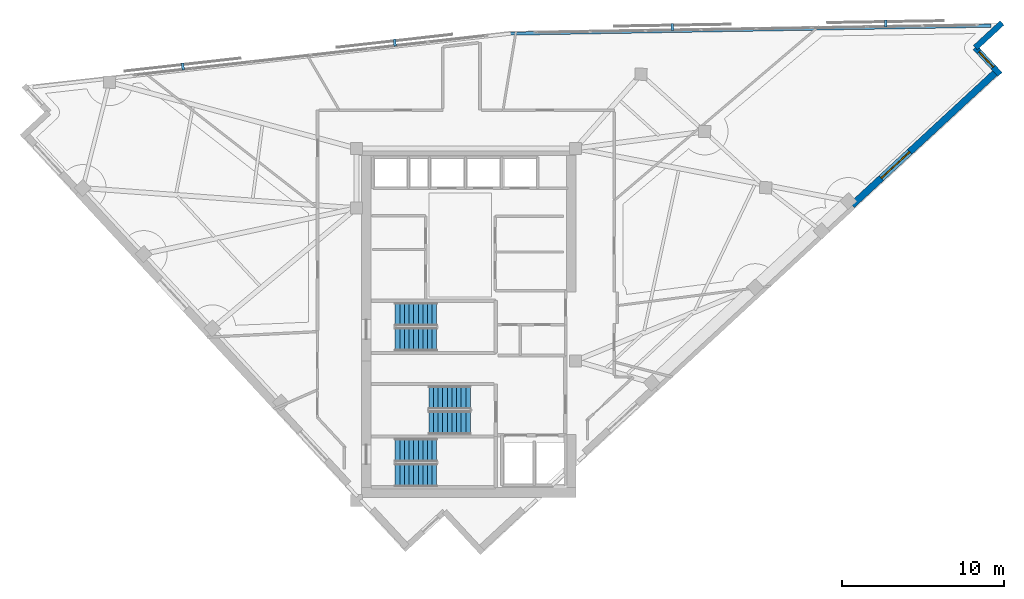
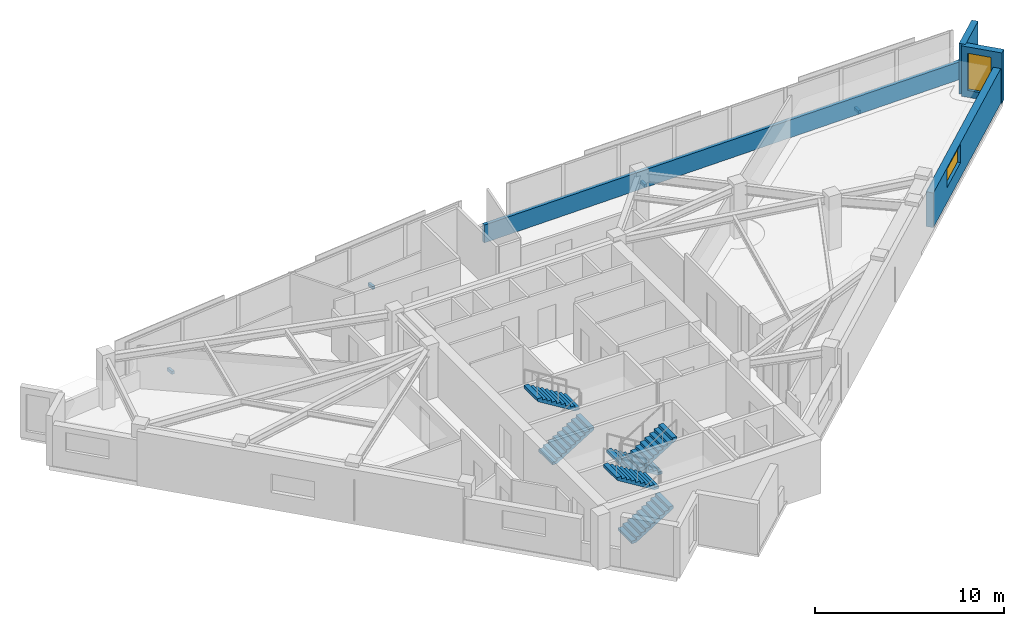
# One storey, part 11 of 13: 6 stair flights, 4 discrete accessories, 4 walls, 2 windows, 2 openings, 3 elements without a shape of their own.
"""IFC4 building model written with IfcOpenShell, lengths in metres."""

from ifc_helpers import new_model, si_unit, direction, frame, frame_2d, origin, origin_2d, place, context, subcontext, project, spatial, polyline, rectangle, outline, extrude, material, layer, layer_set, type_object, element, fill, aggregate, save


model = new_model("IFC4")

# Units and contexts
model_context = context("Model", 3, precision=1e-05, world=origin(), true_north=direction((0.0, 1.0)))
body_context = subcontext(model_context, "Body", "Model", "MODEL_VIEW")
ifc_project = project(units=[si_unit("LENGTHUNIT", "METRE"), si_unit("AREAUNIT", "SQUARE_METRE"), si_unit("VOLUMEUNIT", "CUBIC_METRE"), si_unit("PLANEANGLEUNIT", "RADIAN"), si_unit("MASSUNIT", "GRAM", prefix="KILO")], contexts=[model_context])

# Site, building, storey
site_placement = place(None, origin())
site = spatial("IfcSite", under=ifc_project, at=site_placement, CompositionType="ELEMENT")
building_placement = place(site_placement, origin())
building = spatial("IfcBuilding", under=site, at=building_placement, Name="Narakoshi Arena Tower", CompositionType="ELEMENT")
storey_placement = place(building_placement, frame((0.0, 0.0, 278.340087890625)))
storey = spatial("IfcBuildingStorey", under=building, at=storey_placement, Name="L76", CompositionType="ELEMENT", Elevation=278.340087890625)

# Wall
ifc_material_1 = material(Name="Precast concrete C45/55", Category="concrete")
ifc_layer_1 = layer(ifc_material_1, 0.25)
ifc_layer_set_1 = layer_set([ifc_layer_1], Name="Precast concrete C45/55")
wall_type_1 = type_object("IfcWallType", Name="WL-PARA-250", PredefinedType="PARAPET", material=ifc_layer_set_1)
wall_1_placement = place(storey_placement, frame((111.2705078125, 64.091796875, 0.0), z_axis=(0.0, 0.0, 1.0), x_axis=(-0.999864741935, -0.016446818413, 0.0)))
element("IfcWall", 1, at=wall_1_placement, inside=storey, type_object=wall_type_1, Name="L76 Hypotenuse Sill Upstand Parapet 1-01", PredefinedType="PARAPET", context=body_context, shape_type="SweptSolid", body=[
    extrude(rectangle(XDim=29.73291015625, YDim=0.199951171875, at=frame_2d((14.866455078125, 0.0))), origin(), (0.0, 0.0, 1.0), 1.14990234375),
])

# Wall, opening, window
ifc_layer_2 = layer(ifc_material_1, 0.419921875)
ifc_layer_set_2 = layer_set([ifc_layer_2], Name="Precast concrete C45/55")
wall_type_2 = type_object("IfcWallType", Name="WL-POD-420", PredefinedType="SOLIDWALL", material=ifc_layer_set_2)
wall_2_placement = place(storey_placement, frame((102.677490234375, 52.9892578125, 0.0), z_axis=(0.0, 0.0, 1.0), x_axis=(0.734331107219, 0.678791444386, 0.0)))
wall_2 = element("IfcWall", 2, at=wall_2_placement, inside=storey, type_object=wall_type_2, Name="L76 Architectural Concrete Facade Wall LEGA-4", PredefinedType="SOLIDWALL", context=body_context, shape_type="SweptSolid", body=[
    extrude(rectangle(XDim=12.21142578125, YDim=0.419921875, at=frame_2d((6.105712890625, 0.0))), origin(), (0.0, 0.0, 1.0), 2.244873046875),
])
opening_1_placement = place(wall_2_placement, frame((2.453857421875, 0.0, 0.965087890625)))
opening_1 = element("IfcOpeningElement", 3, at=opening_1_placement, cuts=wall_2, Name="Opening WN-04", PredefinedType="OPENING", context=body_context, shape_type="SweptSolid", body=[
    extrude(rectangle(XDim=2.39990234375, YDim=1.199951171875, at=frame_2d((1.199951171875, 0.60009765625))), frame((0.0, 0.219970703125, 0.0), z_axis=(0.0, -1.0, 0.0), x_axis=(1.0, 0.0, 0.0)), (0.0, 0.0, 1.0), 0.43994140625),
])
ifc_material_2 = material(Name="Bronze-tinted low-E laminated glass", Category="glass")
window_type_1 = type_object("IfcWindowType", Name="WIN-SLT-24x12", PartitioningType="SINGLE_PANEL", PredefinedType="WINDOW", material=ifc_material_2)
window_1_placement = place(opening_1_placement, origin())
window_1 = element("IfcWindow", 4, at=window_1_placement, inside=storey, type_object=window_type_1, Name="L76 LEGA4 Horizontal Slot Window 1", OverallHeight=1.199951171875, OverallWidth=2.39990234375, PartitioningType="SINGLE_PANEL", PredefinedType="WINDOW", context=body_context, shape_type="SweptSolid", body=[
    extrude(rectangle(XDim=2.39990234375, YDim=1.199951171875, at=frame_2d((1.199951171875, 0.60009765625))), frame((0.0, 0.030029296875, 0.0), z_axis=(0.0, -1.0, 0.0), x_axis=(1.0, 0.0, 0.0)), (0.0, 0.0, 1.0), 0.06005859375),
])
fill(opening_1, window_1)

wall_3_placement = place(storey_placement, frame((111.83154296875, 61.076416015625, 0.0), z_axis=(0.0, 0.0, 1.0), x_axis=(-0.678792531533, 0.734330102294, 0.0)))
wall_3 = element("IfcWall", 5, at=wall_3_placement, inside=storey, type_object=wall_type_2, Name="L76 Re-Entrant Corner Notch Wall NTE-1", PredefinedType="SOLIDWALL", context=body_context, shape_type="SweptSolid", body=[
    extrude(rectangle(XDim=2.255126953125, YDim=0.360107421875, at=frame_2d((1.12744140625, 0.0))), origin(), (0.0, 0.0, 1.0), 3.260009765625),
])
opening_2_placement = place(wall_3_placement, frame((0.614990234375, 0.0, 0.449951171875)))
opening_2 = element("IfcOpeningElement", 6, at=opening_2_placement, cuts=wall_3, Name="Opening WN-06", PredefinedType="OPENING", context=body_context, shape_type="SweptSolid", body=[
    extrude(rectangle(XDim=1.300048828125, YDim=2.39990234375, at=frame_2d((0.64990234375, 1.199951171875))), frame((0.0, 0.18994140625, 0.0), z_axis=(0.0, -1.0, 0.0), x_axis=(1.0, 0.0, 0.0)), (0.0, 0.0, 1.0), 0.380126953125),
])
window_type_2 = type_object("IfcWindowType", Name="WIN-NTC-16x24", PartitioningType="SINGLE_PANEL", PredefinedType="WINDOW", material=ifc_material_2)
window_2_placement = place(opening_2_placement, origin())
window_2 = element("IfcWindow", 7, at=window_2_placement, inside=storey, type_object=window_type_2, Name="L76 Corner Notch Window NTE", OverallHeight=2.39990234375, OverallWidth=1.300048828125, PartitioningType="SINGLE_PANEL", PredefinedType="WINDOW", context=body_context, shape_type="SweptSolid", body=[
    extrude(rectangle(XDim=1.300048828125, YDim=2.39990234375, at=frame_2d((0.64990234375, 1.199951171875))), frame((0.0, 0.030029296875, 0.0), z_axis=(0.0, -1.0, 0.0), x_axis=(1.0, 0.0, 0.0)), (0.0, 0.0, 1.0), 0.06005859375),
])
fill(opening_2, window_2)

# Wall
wall_4_placement = place(storey_placement, frame((110.30078125, 62.732421875, 0.0), z_axis=(0.0, 0.0, 1.0), x_axis=(0.734330102294, 0.678792531533, 0.0)))
element("IfcWall", 8, at=wall_4_placement, inside=storey, type_object=wall_type_2, Name="L76 Re-Entrant Corner Notch Wall NTE-2", PredefinedType="SOLIDWALL", context=body_context, shape_type="SweptSolid", body=[
    extrude(rectangle(XDim=2.255126953125, YDim=0.360107421875, at=frame_2d((1.12744140625, 0.0))), origin(), (0.0, 0.0, 1.0), 3.260009765625),
])

# Stair, stair flights
ifc_material_3 = material(Name="Concrete C45/55", Category="concrete")
stair_type = type_object("IfcStairType", Name="STR-CORE-352", PredefinedType="TWO_STRAIGHT_RUN_STAIR", material=ifc_material_3)
stair_1_placement = place(storey_placement, origin())
stair_1 = element("IfcStair", 9, at=stair_1_placement, inside=storey, type_object=stair_type, Name="L76 Core Escape Stair ST1", PredefinedType="TWO_STRAIGHT_RUN_STAIR")
stair_flight_type = type_object("IfcStairFlightType", Name="FLT-145-160", PredefinedType="STRAIGHT", material=ifc_material_1)
stair_flight_1_placement = place(storey_placement, frame((74.39990234375, 36.27490234375, 0.0), z_axis=(0.0, 0.0, 1.0), x_axis=(1.0, 0.0, 0.0)))
stair_flight_1 = element("IfcStairFlight", 10, at=stair_flight_1_placement, type_object=stair_flight_type, Name="ST1 flight 1", NumberOfRisers=10, NumberOfTreads=9, PredefinedType="STRAIGHT", RiserHeight=0.176, TreadLength=0.285, context=body_context, shape_type="SweptSolid", body=[
    extrude(outline(polyline([(0.0, 0.0), (0.0, 0.176025390625), (0.284912109375, 0.176025390625), (0.284912109375, 0.35205078125), (0.570068359375, 0.35205078125), (0.570068359375, 0.528076171875), (0.85498046875, 0.528076171875), (0.85498046875, 0.7041015625), (1.139892578125, 0.7041015625), (1.139892578125, 0.8798828125), (1.425048828125, 0.8798828125), (1.425048828125, 1.055908203125), (1.7099609375, 1.055908203125), (1.7099609375, 1.23193359375), (1.9951171875, 1.23193359375), (1.9951171875, 1.407958984375), (2.280029296875, 1.407958984375), (2.280029296875, 1.583984375), (2.56494140625, 1.583984375), (2.56494140625, 1.760009765625), (2.56494140625, 1.40771484375), (0.285400390625, 0.0), (0.0, 0.0)])), frame((0.0, 0.72509765625, 0.0), z_axis=(0.0, -1.0, 0.0), x_axis=(1.0, 0.0, 0.0)), (0.0, 0.0, 1.0), 1.449951171875),
])
stair_flight_2_placement = place(storey_placement, frame((76.965087890625, 37.824951171875, 1.760009765625), z_axis=(0.0, 0.0, 1.0), x_axis=(-1.0, 0.0, 0.0)))
stair_flight_2 = element("IfcStairFlight", 11, at=stair_flight_2_placement, type_object=stair_flight_type, Name="ST1 flight 2", NumberOfRisers=10, NumberOfTreads=9, PredefinedType="STRAIGHT", RiserHeight=0.176, TreadLength=0.285, context=body_context, shape_type="SweptSolid", body=[
    extrude(outline(polyline([(0.0, 0.0), (0.0, 0.176025390625), (0.284912109375, 0.176025390625), (0.284912109375, 0.35205078125), (0.570068359375, 0.35205078125), (0.570068359375, 0.528076171875), (0.85498046875, 0.528076171875), (0.85498046875, 0.7041015625), (1.139892578125, 0.7041015625), (1.139892578125, 0.8798828125), (1.425048828125, 0.8798828125), (1.425048828125, 1.055908203125), (1.7099609375, 1.055908203125), (1.7099609375, 1.23193359375), (1.9951171875, 1.23193359375), (1.9951171875, 1.407958984375), (2.280029296875, 1.407958984375), (2.280029296875, 1.583984375), (2.56494140625, 1.583984375), (2.56494140625, 1.760009765625), (2.56494140625, 1.40771484375), (0.285400390625, 0.0), (0.0, 0.0)])), frame((0.0, 0.72509765625, 0.0), z_axis=(0.0, -1.0, 0.0), x_axis=(1.0, 0.0, 0.0)), (0.0, 0.0, 1.0), 1.449951171875),
])
aggregate(stair_1, [stair_flight_1, stair_flight_2])

stair_2_placement = place(storey_placement, origin())
stair_2 = element("IfcStair", 12, at=stair_2_placement, inside=storey, type_object=stair_type, Name="L76 Core Escape Stair ST2", PredefinedType="TWO_STRAIGHT_RUN_STAIR")
stair_flight_3_placement = place(storey_placement, frame((79.050048828125, 41.074951171875, 0.0), z_axis=(0.0, 0.0, 1.0), x_axis=(-1.0, 0.0, 0.0)))
stair_flight_3 = element("IfcStairFlight", 13, at=stair_flight_3_placement, type_object=stair_flight_type, Name="ST2 flight 1", NumberOfRisers=10, NumberOfTreads=9, PredefinedType="STRAIGHT", RiserHeight=0.176, TreadLength=0.285, context=body_context, shape_type="SweptSolid", body=[
    extrude(outline(polyline([(0.0, 0.0), (0.0, 0.176025390625), (0.284912109375, 0.176025390625), (0.284912109375, 0.35205078125), (0.570068359375, 0.35205078125), (0.570068359375, 0.528076171875), (0.85498046875, 0.528076171875), (0.85498046875, 0.7041015625), (1.139892578125, 0.7041015625), (1.139892578125, 0.8798828125), (1.425048828125, 0.8798828125), (1.425048828125, 1.055908203125), (1.7099609375, 1.055908203125), (1.7099609375, 1.23193359375), (1.9951171875, 1.23193359375), (1.9951171875, 1.407958984375), (2.280029296875, 1.407958984375), (2.280029296875, 1.583984375), (2.56494140625, 1.583984375), (2.56494140625, 1.760009765625), (2.56494140625, 1.40771484375), (0.285400390625, 0.0), (0.0, 0.0)])), frame((0.0, 0.72509765625, 0.0), z_axis=(0.0, -1.0, 0.0), x_axis=(1.0, 0.0, 0.0)), (0.0, 0.0, 1.0), 1.449951171875),
])
stair_flight_4_placement = place(storey_placement, frame((76.485107421875, 39.52490234375, 1.760009765625), z_axis=(0.0, 0.0, 1.0), x_axis=(1.0, 0.0, 0.0)))
stair_flight_4 = element("IfcStairFlight", 14, at=stair_flight_4_placement, type_object=stair_flight_type, Name="ST2 flight 2", NumberOfRisers=10, NumberOfTreads=9, PredefinedType="STRAIGHT", RiserHeight=0.176, TreadLength=0.285, context=body_context, shape_type="SweptSolid", body=[
    extrude(outline(polyline([(0.0, 0.0), (0.0, 0.176025390625), (0.284912109375, 0.176025390625), (0.284912109375, 0.35205078125), (0.570068359375, 0.35205078125), (0.570068359375, 0.528076171875), (0.85498046875, 0.528076171875), (0.85498046875, 0.7041015625), (1.139892578125, 0.7041015625), (1.139892578125, 0.8798828125), (1.425048828125, 0.8798828125), (1.425048828125, 1.055908203125), (1.7099609375, 1.055908203125), (1.7099609375, 1.23193359375), (1.9951171875, 1.23193359375), (1.9951171875, 1.407958984375), (2.280029296875, 1.407958984375), (2.280029296875, 1.583984375), (2.56494140625, 1.583984375), (2.56494140625, 1.760009765625), (2.56494140625, 1.40771484375), (0.285400390625, 0.0), (0.0, 0.0)])), frame((0.0, 0.72509765625, 0.0), z_axis=(0.0, -1.0, 0.0), x_axis=(1.0, 0.0, 0.0)), (0.0, 0.0, 1.0), 1.449951171875),
])
aggregate(stair_2, [stair_flight_3, stair_flight_4])

stair_3_placement = place(storey_placement, origin())
stair_3 = element("IfcStair", 15, at=stair_3_placement, inside=storey, type_object=stair_type, Name="L76 Core Escape Stair ST3", PredefinedType="TWO_STRAIGHT_RUN_STAIR")
stair_flight_5_placement = place(storey_placement, frame((74.39990234375, 44.675048828125, 0.0), z_axis=(0.0, 0.0, 1.0), x_axis=(1.0, 0.0, 0.0)))
stair_flight_5 = element("IfcStairFlight", 16, at=stair_flight_5_placement, type_object=stair_flight_type, Name="ST3 flight 1", NumberOfRisers=10, NumberOfTreads=9, PredefinedType="STRAIGHT", RiserHeight=0.176, TreadLength=0.285, context=body_context, shape_type="SweptSolid", body=[
    extrude(outline(polyline([(0.0, 0.0), (0.0, 0.176025390625), (0.284912109375, 0.176025390625), (0.284912109375, 0.35205078125), (0.570068359375, 0.35205078125), (0.570068359375, 0.528076171875), (0.85498046875, 0.528076171875), (0.85498046875, 0.7041015625), (1.139892578125, 0.7041015625), (1.139892578125, 0.8798828125), (1.425048828125, 0.8798828125), (1.425048828125, 1.055908203125), (1.7099609375, 1.055908203125), (1.7099609375, 1.23193359375), (1.9951171875, 1.23193359375), (1.9951171875, 1.407958984375), (2.280029296875, 1.407958984375), (2.280029296875, 1.583984375), (2.56494140625, 1.583984375), (2.56494140625, 1.760009765625), (2.56494140625, 1.40771484375), (0.285400390625, 0.0), (0.0, 0.0)])), frame((0.0, 0.72509765625, 0.0), z_axis=(0.0, -1.0, 0.0), x_axis=(1.0, 0.0, 0.0)), (0.0, 0.0, 1.0), 1.449951171875),
])
stair_flight_6_placement = place(storey_placement, frame((76.965087890625, 46.22509765625, 1.760009765625), z_axis=(0.0, 0.0, 1.0), x_axis=(-1.0, 0.0, 0.0)))
stair_flight_6 = element("IfcStairFlight", 17, at=stair_flight_6_placement, type_object=stair_flight_type, Name="ST3 flight 2", NumberOfRisers=10, NumberOfTreads=9, PredefinedType="STRAIGHT", RiserHeight=0.176, TreadLength=0.285, context=body_context, shape_type="SweptSolid", body=[
    extrude(outline(polyline([(0.0, 0.0), (0.0, 0.176025390625), (0.284912109375, 0.176025390625), (0.284912109375, 0.35205078125), (0.570068359375, 0.35205078125), (0.570068359375, 0.528076171875), (0.85498046875, 0.528076171875), (0.85498046875, 0.7041015625), (1.139892578125, 0.7041015625), (1.139892578125, 0.8798828125), (1.425048828125, 0.8798828125), (1.425048828125, 1.055908203125), (1.7099609375, 1.055908203125), (1.7099609375, 1.23193359375), (1.9951171875, 1.23193359375), (1.9951171875, 1.407958984375), (2.280029296875, 1.407958984375), (2.280029296875, 1.583984375), (2.56494140625, 1.583984375), (2.56494140625, 1.760009765625), (2.56494140625, 1.40771484375), (0.285400390625, 0.0), (0.0, 0.0)])), frame((0.0, 0.72509765625, 0.0), z_axis=(0.0, -1.0, 0.0), x_axis=(1.0, 0.0, 0.0)), (0.0, 0.0, 1.0), 1.449951171875),
])
aggregate(stair_3, [stair_flight_5, stair_flight_6])

# Discrete accessories
ifc_material_4 = material(Name="Structural steel S355J2", Category="steel")
discrete_accessory_type = type_object("IfcDiscreteAccessoryType", Name="ACC-BRK-SCR", PredefinedType="BRACKET", material=ifc_material_4)
for number, where, z_axis, x_axis, name in (
    (18, (104.75634765625, 64.224609375, -0.080078125), (0.0, 0.0, 1.0), (-0.999864849778, -0.016440260879, 0.0), "L76 Solar Screen Support Bracket SHD-L76-SCR1-1"),
    (19, (91.55810546875, 64.007568359375, -0.080078125), (0.0, 0.0, 1.0), (-0.999864849778, -0.016440260879, 0.0), "L76 Solar Screen Support Bracket SHD-L76-SCR1-2"),
    (20, (74.374755859375, 63.040283203125, -0.080078125), (0.0, 0.0, 1.0), (-0.993775698738, -0.111399553846, 0.0), "L76 Solar Screen Support Bracket SHD-L76-SCR2-1"),
    (21, (61.2568359375, 61.56982421875, -0.080078125), (0.0, 0.0, 1.0), (-0.993775698738, -0.111399553846, 0.0), "L76 Solar Screen Support Bracket SHD-L76-SCR2-2"),
):
    element("IfcDiscreteAccessory", number, at=place(storey_placement, frame(where, z_axis=z_axis, x_axis=x_axis)), inside=storey, type_object=discrete_accessory_type, Name=name, PredefinedType="BRACKET", context=body_context, shape_type="SweptSolid", body=[
        extrude(rectangle(XDim=0.159912109375, YDim=0.43994140625, at=origin_2d()), origin(), (0.0, 0.0, 1.0), 0.199951171875),
    ])

save(model, "model.ifc")
